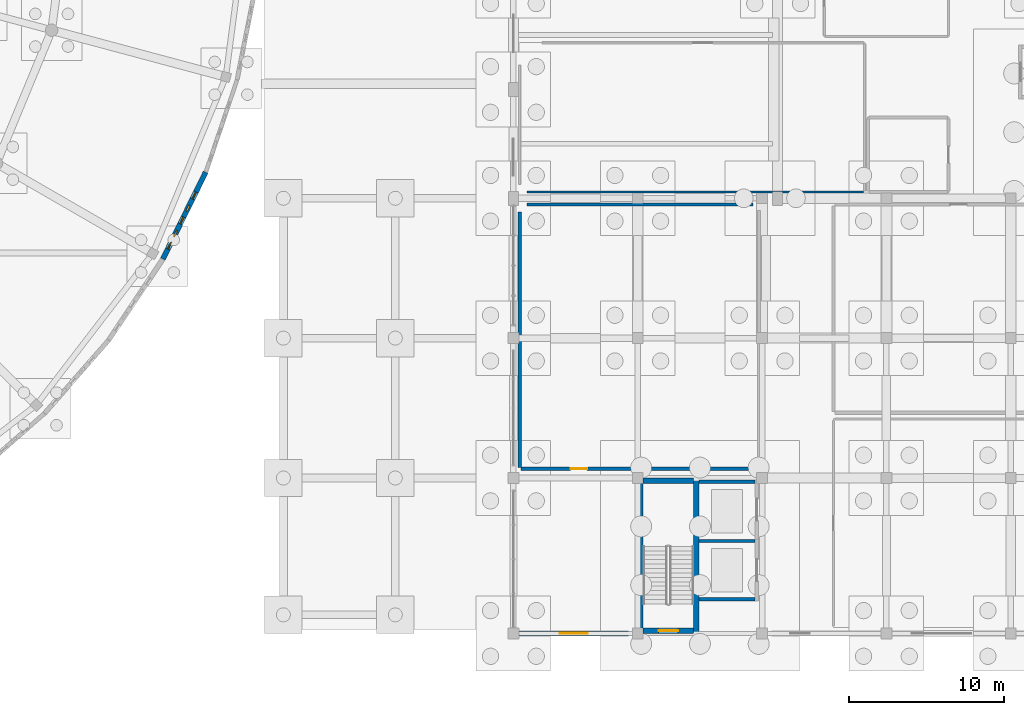
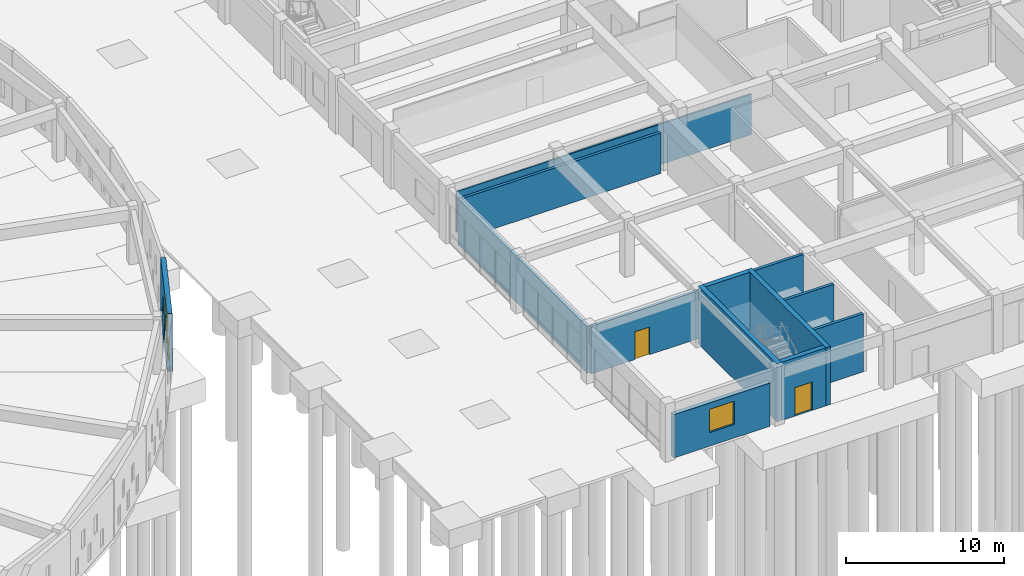
# One storey, part 47 of 84: 13 walls, 6 windows, 2 doors, 8 openings.
"""IFC4 building model written with IfcOpenShell, lengths in metres."""

from ifc_helpers import new_model, si_unit, direction, frame, frame_2d, origin, place, context, subcontext, project, spatial, rectangle, extrude, material, layer, layer_set, type_object, element, fill, save


model = new_model("IFC4")

# Units and contexts
model_context = context("Model", 3, precision=1e-05, world=origin(), true_north=direction((0.0, 1.0)))
body_context = subcontext(model_context, "Body", "Model", "MODEL_VIEW")
ifc_project = project(units=[si_unit("LENGTHUNIT", "METRE"), si_unit("AREAUNIT", "SQUARE_METRE"), si_unit("VOLUMEUNIT", "CUBIC_METRE"), si_unit("PLANEANGLEUNIT", "RADIAN"), si_unit("MASSUNIT", "GRAM", prefix="KILO")], contexts=[model_context])

# Site, building, storey
site_placement = place(None, origin())
site = spatial("IfcSite", under=ifc_project, at=site_placement, CompositionType="ELEMENT")
building_placement = place(site_placement, origin())
building = spatial("IfcBuilding", under=site, at=building_placement, Name="Larkveld Mobility Hub", CompositionType="ELEMENT")
storey_placement = place(building_placement, origin())
storey = spatial("IfcBuildingStorey", under=building, at=storey_placement, Name="L00", CompositionType="ELEMENT", Elevation=0.0)

# Wall, openings, windows
ifc_material_1 = material(Name="Fired clay brick 25 MPa", Category="masonry")
ifc_layer_1 = layer(ifc_material_1, 0.340087890625, Name="Fired clay brick 25 MPa", Category="masonry")
ifc_layer_set_1 = layer_set([ifc_layer_1], Name="Fired clay brick 25 MPa")
wall_type_1 = type_object("IfcWallType", Name="WL-BRK-340", PredefinedType="USERDEFINED", material=ifc_layer_set_1)
wall_1_placement = place(storey_placement, frame((89.449951171875, 24.096923828125, 0.0), z_axis=(0.0, 0.0, 1.0), x_axis=(0.442316740488, 0.896858908126, 0.0)))
wall_1 = element("IfcWall", 1, at=wall_1_placement, inside=storey, type_object=wall_type_1, Name="Drum Woven Open-Bond Brick Chord L00-0043", ObjectType="PERFORATED BRICK SCREEN", PredefinedType="USERDEFINED", context=body_context, shape_type="SweptSolid", body=[
    extrude(rectangle(XDim=6.210693359375, YDim=0.340087890625, at=frame_2d((3.10546875, 0.0))), origin(), (0.0, 0.0, 1.0), 4.5),
])
opening_1_placement = place(wall_1_placement, frame((0.719970703125, 0.0, 0.419921875)))
opening_1 = element("IfcOpeningElement", 2, at=opening_1_placement, cuts=wall_1, Name="Opening W03", PredefinedType="OPENING", context=body_context, shape_type="SweptSolid", body=[
    extrude(rectangle(XDim=0.47998046875, YDim=1.360107421875, at=frame_2d((0.239990234375, 0.68017578125))), frame((0.0, 0.18017578125, 0.0), z_axis=(0.0, -1.0, 0.0), x_axis=(1.0, 0.0, 0.0)), (0.0, 0.0, 1.0), 0.360107421875),
])
opening_2_placement = place(wall_1_placement, frame((2.52001953125, 0.0, 0.419921875)))
opening_2 = element("IfcOpeningElement", 3, at=opening_2_placement, cuts=wall_1, Name="Opening W03", PredefinedType="OPENING", context=body_context, shape_type="SweptSolid", body=[
    extrude(rectangle(XDim=0.47998046875, YDim=1.360107421875, at=frame_2d((0.239990234375, 0.68017578125))), frame((0.0, 0.18017578125, 0.0), z_axis=(0.0, -1.0, 0.0), x_axis=(1.0, 0.0, 0.0)), (0.0, 0.0, 1.0), 0.360107421875),
])
opening_3_placement = place(wall_1_placement, frame((4.320068359375, 0.0, 0.419921875)))
opening_3 = element("IfcOpeningElement", 4, at=opening_3_placement, cuts=wall_1, Name="Opening W03", PredefinedType="OPENING", context=body_context, shape_type="SweptSolid", body=[
    extrude(rectangle(XDim=0.47998046875, YDim=1.360107421875, at=frame_2d((0.239990234375, 0.68017578125))), frame((0.0, 0.18017578125, 0.0), z_axis=(0.0, -1.0, 0.0), x_axis=(1.0, 0.0, 0.0)), (0.0, 0.0, 1.0), 0.360107421875),
])
opening_4_placement = place(wall_1_placement, frame((1.6201171875, 0.0, 1.97998046875)))
opening_4 = element("IfcOpeningElement", 5, at=opening_4_placement, cuts=wall_1, Name="Opening W01", PredefinedType="OPENING", context=body_context, shape_type="SweptSolid", body=[
    extrude(rectangle(XDim=0.419921875, YDim=1.280029296875, at=frame_2d((0.2099609375, 0.64013671875))), frame((0.0, 0.18017578125, 0.0), z_axis=(0.0, -1.0, 0.0), x_axis=(1.0, 0.0, 0.0)), (0.0, 0.0, 1.0), 0.360107421875),
])
opening_5_placement = place(wall_1_placement, frame((3.419921875, 0.0, 1.97998046875)))
opening_5 = element("IfcOpeningElement", 6, at=opening_5_placement, cuts=wall_1, Name="Opening W01", PredefinedType="OPENING", context=body_context, shape_type="SweptSolid", body=[
    extrude(rectangle(XDim=0.419921875, YDim=1.280029296875, at=frame_2d((0.2099609375, 0.64013671875))), frame((0.0, 0.18017578125, 0.0), z_axis=(0.0, -1.0, 0.0), x_axis=(1.0, 0.0, 0.0)), (0.0, 0.0, 1.0), 0.360107421875),
])
ifc_material_2 = material(Name="Extruded aluminium ventilation grille", Category="aluminium")
window_type_1 = type_object("IfcWindowType", Name="WN-VENT-01", PartitioningType="SINGLE_PANEL", PredefinedType="WINDOW", material=ifc_material_2)
window_1_placement = place(opening_4_placement, origin())
window_1 = element("IfcWindow", 7, at=window_1_placement, inside=storey, type_object=window_type_1, Name="Window W01 (0204)", OverallHeight=1.280029296875, OverallWidth=0.419921875, PartitioningType="SINGLE_PANEL", PredefinedType="WINDOW", context=body_context, shape_type="SweptSolid", body=[
    extrude(rectangle(XDim=0.419921875, YDim=1.280029296875, at=frame_2d((0.2099609375, 0.64013671875))), frame((0.0, 0.030029296875, 0.0), z_axis=(0.0, -1.0, 0.0), x_axis=(1.0, 0.0, 0.0)), (0.0, 0.0, 1.0), 0.06005859375),
])
fill(opening_4, window_1)
window_2_placement = place(opening_5_placement, origin())
window_2 = element("IfcWindow", 8, at=window_2_placement, inside=storey, type_object=window_type_1, Name="Window W01 (0205)", OverallHeight=1.280029296875, OverallWidth=0.419921875, PartitioningType="SINGLE_PANEL", PredefinedType="WINDOW", context=body_context, shape_type="SweptSolid", body=[
    extrude(rectangle(XDim=0.419921875, YDim=1.280029296875, at=frame_2d((0.2099609375, 0.64013671875))), frame((0.0, 0.030029296875, 0.0), z_axis=(0.0, -1.0, 0.0), x_axis=(1.0, 0.0, 0.0)), (0.0, 0.0, 1.0), 0.06005859375),
])
fill(opening_5, window_2)
window_type_2 = type_object("IfcWindowType", Name="WN-VENT-03", PartitioningType="SINGLE_PANEL", PredefinedType="WINDOW", material=ifc_material_2)
window_3_placement = place(opening_1_placement, origin())
window_3 = element("IfcWindow", 9, at=window_3_placement, inside=storey, type_object=window_type_2, Name="Window W03 (0201)", OverallHeight=1.360107421875, OverallWidth=0.47998046875, PartitioningType="SINGLE_PANEL", PredefinedType="WINDOW", context=body_context, shape_type="SweptSolid", body=[
    extrude(rectangle(XDim=0.47998046875, YDim=1.360107421875, at=frame_2d((0.239990234375, 0.68017578125))), frame((0.0, 0.030029296875, 0.0), z_axis=(0.0, -1.0, 0.0), x_axis=(1.0, 0.0, 0.0)), (0.0, 0.0, 1.0), 0.06005859375),
])
fill(opening_1, window_3)
window_4_placement = place(opening_2_placement, origin())
window_4 = element("IfcWindow", 10, at=window_4_placement, inside=storey, type_object=window_type_2, Name="Window W03 (0202)", OverallHeight=1.360107421875, OverallWidth=0.47998046875, PartitioningType="SINGLE_PANEL", PredefinedType="WINDOW", context=body_context, shape_type="SweptSolid", body=[
    extrude(rectangle(XDim=0.47998046875, YDim=1.360107421875, at=frame_2d((0.239990234375, 0.68017578125))), frame((0.0, 0.030029296875, 0.0), z_axis=(0.0, -1.0, 0.0), x_axis=(1.0, 0.0, 0.0)), (0.0, 0.0, 1.0), 0.06005859375),
])
fill(opening_2, window_4)
window_5_placement = place(opening_3_placement, origin())
window_5 = element("IfcWindow", 11, at=window_5_placement, inside=storey, type_object=window_type_2, Name="Window W03 (0203)", OverallHeight=1.360107421875, OverallWidth=0.47998046875, PartitioningType="SINGLE_PANEL", PredefinedType="WINDOW", context=body_context, shape_type="SweptSolid", body=[
    extrude(rectangle(XDim=0.47998046875, YDim=1.360107421875, at=frame_2d((0.239990234375, 0.68017578125))), frame((0.0, 0.030029296875, 0.0), z_axis=(0.0, -1.0, 0.0), x_axis=(1.0, 0.0, 0.0)), (0.0, 0.0, 1.0), 0.06005859375),
])
fill(opening_3, window_5)

# Wall, opening, window
ifc_material_3 = material(Name="Concrete C40/50", Category="concrete")
ifc_layer_2 = layer(ifc_material_3, 0.330078125, Name="Concrete C40/50", Category="concrete")
ifc_layer_set_2 = layer_set([ifc_layer_2], Name="Concrete C40/50")
wall_type_2 = type_object("IfcWallType", Name="WL-EXT-330", PredefinedType="SOLIDWALL", material=ifc_layer_set_2)
wall_2_placement = place(storey_placement, frame((112.360107421875, 0.0, 0.0), z_axis=(0.0, 0.0, 1.0), x_axis=(1.0, 0.0, 0.0)))
wall_2 = element("IfcWall", 12, at=wall_2_placement, inside=storey, type_object=wall_type_2, Name="Service Centre South Harbourway Wall L00-0203", PredefinedType="SOLIDWALL", context=body_context, shape_type="SweptSolid", body=[
    extrude(rectangle(XDim=7.0498046875, YDim=0.330078125, at=frame_2d((3.52490234375, 0.0))), origin(), (0.0, 0.0, 1.0), 3.344970703125),
])
opening_6_placement = place(wall_2_placement, frame((2.625, 0.0, 1.050048828125)))
opening_6 = element("IfcOpeningElement", 13, at=opening_6_placement, cuts=wall_2, Name="Opening W12", PredefinedType="OPENING", context=body_context, shape_type="SweptSolid", body=[
    extrude(rectangle(XDim=1.800048828125, YDim=1.800048828125, at=frame_2d((0.89990234375, 0.89990234375))), frame((0.0, 0.175048828125, 0.0), z_axis=(0.0, -1.0, 0.0), x_axis=(1.0, 0.0, 0.0)), (0.0, 0.0, 1.0), 0.35009765625),
])
ifc_material_4 = material(Name="Low-E double glazing in aluminium frame", Category="aluminium")
window_type_3 = type_object("IfcWindowType", Name="WN-ALU-12", PartitioningType="SINGLE_PANEL", PredefinedType="WINDOW", material=ifc_material_4)
window_6_placement = place(opening_6_placement, origin())
window_6 = element("IfcWindow", 14, at=window_6_placement, inside=storey, type_object=window_type_3, Name="Window W12 (0988)", OverallHeight=1.800048828125, OverallWidth=1.800048828125, PartitioningType="SINGLE_PANEL", PredefinedType="WINDOW", context=body_context, shape_type="SweptSolid", body=[
    extrude(rectangle(XDim=1.800048828125, YDim=1.800048828125, at=frame_2d((0.89990234375, 0.89990234375))), frame((0.0, 0.030029296875, 0.0), z_axis=(0.0, -1.0, 0.0), x_axis=(1.0, 0.0, 0.0)), (0.0, 0.0, 1.0), 0.06005859375),
])
fill(opening_6, window_6)

# Wall
ifc_material_5 = material(Name="Concrete blockwork masonry 14 MPa", Category="masonry")
ifc_layer_3 = layer(ifc_material_5, 0.1201171875, Name="Concrete blockwork masonry 14 MPa", Category="masonry")
ifc_layer_set_3 = layer_set([ifc_layer_3], Name="Concrete blockwork masonry 14 MPa")
wall_type_3 = type_object("IfcWallType", Name="WL-PRT-120", PredefinedType="PARTITIONING", material=ifc_layer_set_3)
wall_3_placement = place(storey_placement, frame((112.889892578125, 28.39990234375, 0.0), z_axis=(0.0, 0.0, 1.0), x_axis=(1.0, 0.0, 0.0)))
element("IfcWall", 15, at=wall_3_placement, inside=storey, type_object=wall_type_3, Name="Intermodal Ticketing and Wayfinding Hall Partition 0020", PredefinedType="PARTITIONING", context=body_context, shape_type="SweptSolid", body=[
    extrude(rectangle(XDim=21.630126953125, YDim=0.1201171875, at=frame_2d((10.81494140625, 0.0))), origin(), (0.0, 0.0, 1.0), 3.14501953125),
])

# Wall, opening, door
ifc_layer_4 = layer(ifc_material_5, 0.2099609375, Name="Concrete blockwork masonry 14 MPa", Category="masonry")
ifc_layer_set_4 = layer_set([ifc_layer_4], Name="Concrete blockwork masonry 14 MPa")
wall_type_4 = type_object("IfcWallType", Name="WL-PRT-210", PredefinedType="PARTITIONING", material=ifc_layer_set_4)
wall_4_placement = place(storey_placement, frame((112.47998046875, 10.60009765625, 0.0), z_axis=(0.0, 0.0, 1.0), x_axis=(1.0, 0.0, 0.0)))
wall_4 = element("IfcWall", 16, at=wall_4_placement, inside=storey, type_object=wall_type_4, Name="Traction Transformer and Switchgear Plant Room Partition 0052", PredefinedType="PARTITIONING", context=body_context, shape_type="SweptSolid", body=[
    extrude(rectangle(XDim=15.235107421875, YDim=0.2099609375, at=frame_2d((7.61767578125, 0.0))), origin(), (0.0, 0.0, 1.0), 3.695068359375),
])
opening_7_placement = place(wall_4_placement, frame((3.205078125, 0.0, 0.0)))
opening_7 = element("IfcOpeningElement", 17, at=opening_7_placement, cuts=wall_4, Name="Opening DF02", PredefinedType="OPENING", context=body_context, shape_type="SweptSolid", body=[
    extrude(rectangle(XDim=1.050048828125, YDim=2.14990234375, at=frame_2d((0.52490234375, 1.074951171875))), frame((0.0, 0.114990234375, 0.0), z_axis=(0.0, -1.0, 0.0), x_axis=(1.0, 0.0, 0.0)), (0.0, 0.0, 1.0), 0.22998046875),
])
ifc_material_6 = material(Name="Pressed Steel S355JR fire door assembly", Category="steel")
door_type_1 = type_object("IfcDoorType", Name="DR-FD60", OperationType="NOTDEFINED", PredefinedType="DOOR", material=ifc_material_6)
door_1_placement = place(opening_7_placement, origin())
door_1 = element("IfcDoor", 18, at=door_1_placement, inside=storey, type_object=door_type_1, Name="Traction Transformer and Switchgear Plant Room Door 0014", OperationType="SINGLE_SWING_LEFT", OverallHeight=2.14990234375, OverallWidth=1.050048828125, PredefinedType="DOOR", context=body_context, shape_type="SweptSolid", body=[
    extrude(rectangle(XDim=1.050048828125, YDim=2.14990234375, at=frame_2d((0.52490234375, 1.074951171875))), frame((0.0, 0.02490234375, 0.0), z_axis=(0.0, -1.0, 0.0), x_axis=(1.0, 0.0, 0.0)), (0.0, 0.0, 1.0), 0.050048828125),
])
fill(opening_7, door_1)

# Walls
wall_5_placement = place(storey_placement, frame((112.889892578125, 27.594970703125, 0.0), z_axis=(0.0, 0.0, 1.0), x_axis=(1.0, 0.0, 0.0)))
element("IfcWall", 19, at=wall_5_placement, inside=storey, type_object=wall_type_4, Name="Traction Transformer and Switchgear Plant Room Partition 0053", PredefinedType="PARTITIONING", context=body_context, shape_type="SweptSolid", body=[
    extrude(rectangle(XDim=14.51513671875, YDim=0.2099609375, at=frame_2d((7.257568359375, 0.0))), origin(), (0.0, 0.0, 1.0), 3.14501953125),
])
wall_6_placement = place(storey_placement, frame((112.39990234375, 10.679931640625, 0.0), z_axis=(0.0, 0.0, 1.0), x_axis=(0.0, 1.0, 0.0)))
element("IfcWall", 20, at=wall_6_placement, inside=storey, type_object=wall_type_4, Name="Traction Transformer and Switchgear Plant Room Partition 0054", PredefinedType="PARTITIONING", context=body_context, shape_type="SweptSolid", body=[
    extrude(rectangle(XDim=16.425048828125, YDim=0.2099609375, at=frame_2d((8.21240234375, 0.0))), origin(), (0.0, 0.0, 1.0), 3.594970703125),
])
ifc_layer_5 = layer(ifc_material_3, 0.219970703125, Name="Concrete C40/50", Category="concrete")
ifc_layer_set_5 = layer_set([ifc_layer_5], Name="Concrete C40/50")
wall_type_5 = type_object("IfcWallType", Name="WL-SHF-220", PredefinedType="SHEAR", material=ifc_layer_set_5)
for number, where, z_axis, x_axis, name in (
    (21, (123.93994140625, 9.760009765625, 0.0), (0.0, 0.0, 1.0), (1.0, 0.0, 0.0), "Lift GL1 Shaft Wall L00-N"),
    (22, (127.5400390625, 2.18994140625, 0.0), (0.0, 0.0, 1.0), (-1.0, 0.0, 0.0), "Lift GL2 Shaft Wall L00-S"),
    (23, (123.93994140625, 5.949951171875, 0.0), (0.0, 0.0, 1.0), (1.0, 0.0, 0.0), "Lift GL2 Shaft Wall L00-N"),
):
    element("IfcWall", number, at=place(storey_placement, frame(where, z_axis=z_axis, x_axis=x_axis)), inside=storey, type_object=wall_type_5, Name=name, PredefinedType="SHEAR", context=body_context, shape_type="SweptSolid", body=[
        extrude(rectangle(XDim=3.60009765625, YDim=0.219970703125, at=frame_2d((1.800048828125, 0.0))), origin(), (0.0, 0.0, 1.0), 4.5),
    ])
ifc_layer_6 = layer(ifc_material_3, 0.340087890625, Name="Concrete C40/50", Category="concrete")
ifc_layer_set_6 = layer_set([ifc_layer_6], Name="Concrete C40/50")
wall_type_6 = type_object("IfcWallType", Name="WL-SHR-04", PredefinedType="SHEAR", material=ifc_layer_set_6)
for number, where, z_axis, x_axis, name in (
    (24, (120.179931640625, 0.010009765625, 0.0), (0.0, 0.0, 1.0), (0.0, 1.0, 0.0), "Core C4 Stair Shear Wall L00-W"),
    (25, (123.77001953125, 9.989990234375, 0.0), (0.0, 0.0, 1.0), (0.0, -1.0, 0.0), "Core C4 Stair Shear Wall L00-E"),
):
    element("IfcWall", number, at=place(storey_placement, frame(where, z_axis=z_axis, x_axis=x_axis)), inside=storey, type_object=wall_type_6, Name=name, PredefinedType="SHEAR", context=body_context, shape_type="SweptSolid", body=[
        extrude(rectangle(XDim=9.97998046875, YDim=0.340087890625, at=frame_2d((4.989990234375, 0.0))), origin(), (0.0, 0.0, 1.0), 4.5),
    ])

# Wall, opening, door
wall_7_placement = place(storey_placement, frame((123.60009765625, 0.179931640625, 0.0), z_axis=(0.0, 0.0, 1.0), x_axis=(-1.0, 0.0, 0.0)))
wall_7 = element("IfcWall", 26, at=wall_7_placement, inside=storey, type_object=wall_type_6, Name="Core C4 Stair Shear Wall L00-S", PredefinedType="SHEAR", context=body_context, shape_type="SweptSolid", body=[
    extrude(rectangle(XDim=3.25, YDim=0.340087890625, at=frame_2d((1.625, 0.0))), origin(), (0.0, 0.0, 1.0), 4.5),
])
opening_8_placement = place(wall_7_placement, frame((1.0, 0.0, 0.0)))
opening_8 = element("IfcOpeningElement", 27, at=opening_8_placement, cuts=wall_7, Name="Opening ED08", PredefinedType="OPENING", context=body_context, shape_type="SweptSolid", body=[
    extrude(rectangle(XDim=1.25, YDim=2.199951171875, at=frame_2d((0.625, 1.10009765625))), frame((0.0, 0.18017578125, 0.0), z_axis=(0.0, -1.0, 0.0), x_axis=(1.0, 0.0, 0.0)), (0.0, 0.0, 1.0), 0.360107421875),
])
ifc_material_7 = material(Name="Galvanised steel final exit door", Category="steel")
door_type_2 = type_object("IfcDoorType", Name="DR-EXT-ESC12", OperationType="NOTDEFINED", PredefinedType="DOOR", material=ifc_material_7)
door_2_placement = place(opening_8_placement, origin())
door_2 = element("IfcDoor", 28, at=door_2_placement, inside=storey, type_object=door_type_2, Name="Stair ST4 Fire Door L00", OperationType="SINGLE_SWING_LEFT", OverallHeight=2.199951171875, OverallWidth=1.25, PredefinedType="DOOR", context=body_context, shape_type="SweptSolid", body=[
    extrude(rectangle(XDim=1.25, YDim=2.199951171875, at=frame_2d((0.625, 1.10009765625))), frame((0.0, 0.02490234375, 0.0), z_axis=(0.0, -1.0, 0.0), x_axis=(1.0, 0.0, 0.0)), (0.0, 0.0, 1.0), 0.050048828125),
])
fill(opening_8, door_2)

# Wall
wall_8_placement = place(storey_placement, frame((120.35009765625, 9.820068359375, 0.0), z_axis=(0.0, 0.0, 1.0), x_axis=(1.0, 0.0, 0.0)))
element("IfcWall", 29, at=wall_8_placement, inside=storey, type_object=wall_type_6, Name="Core C4 Stair Shear Wall L00-N", PredefinedType="SHEAR", context=body_context, shape_type="SweptSolid", body=[
    extrude(rectangle(XDim=3.25, YDim=0.340087890625, at=frame_2d((1.625, 0.0))), origin(), (0.0, 0.0, 1.0), 4.5),
])

save(model, "model.ifc")
